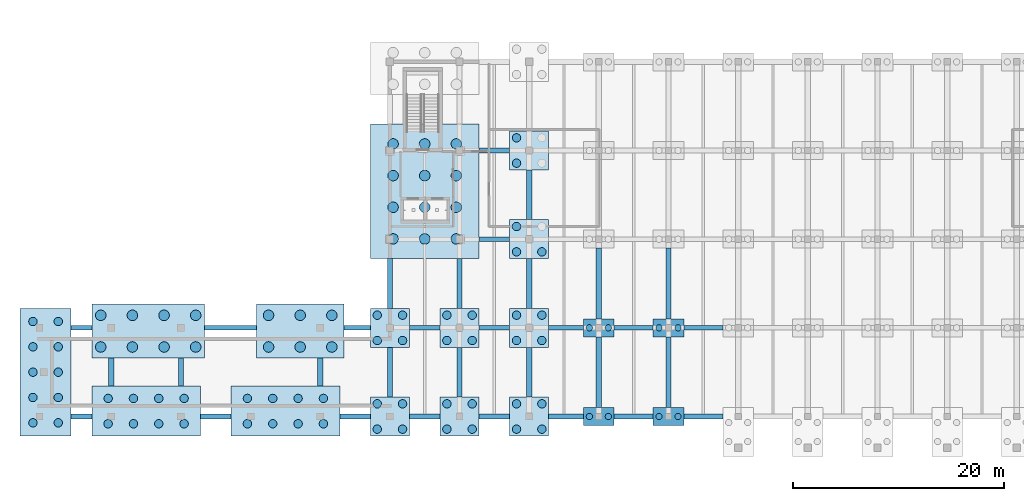
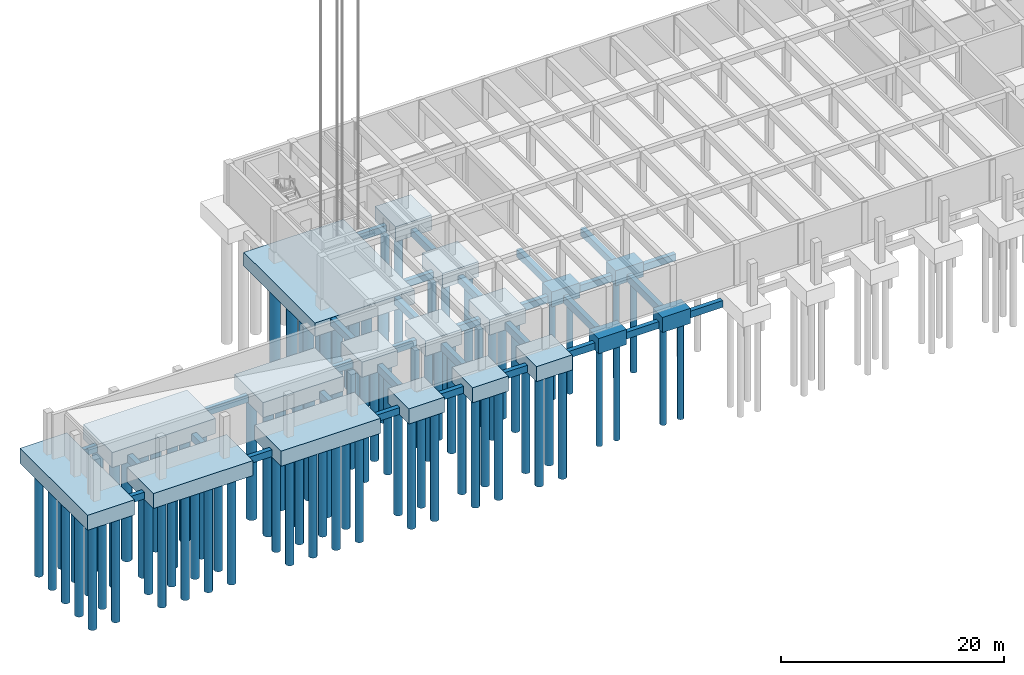
# One storey, part 1 of 44: 89 piles, 50 footings.
"""IFC4 building model written with IfcOpenShell, lengths in metres."""

from ifc_helpers import new_model, si_unit, direction, frame, origin, origin_2d, place, context, subcontext, project, spatial, rectangle, circle, extrude, material, material_profile, profile_set, type_object, element, save


model = new_model("IFC4")

# Units and contexts
model_context = context("Model", 3, precision=1e-05, world=origin(), true_north=direction((0.0, 1.0)))
body_context = subcontext(model_context, "Body", "Model", "MODEL_VIEW")
ifc_project = project(units=[si_unit("LENGTHUNIT", "METRE"), si_unit("AREAUNIT", "SQUARE_METRE"), si_unit("VOLUMEUNIT", "CUBIC_METRE"), si_unit("PLANEANGLEUNIT", "RADIAN"), si_unit("MASSUNIT", "GRAM", prefix="KILO")], contexts=[model_context])

# Site, building, storey
site_placement = place(None, origin())
site = spatial("IfcSite", under=ifc_project, at=site_placement, CompositionType="ELEMENT")
building_placement = place(site_placement, origin())
building = spatial("IfcBuilding", under=site, at=building_placement, Name="Kolvaren Faculty of Natural Sciences", CompositionType="ELEMENT")
storey_placement = place(building_placement, frame((0.0, 0.0, -4.5)))
storey = spatial("IfcBuildingStorey", under=building, at=storey_placement, Name="B01", CompositionType="ELEMENT", Elevation=-4.5)

# Piles
ifc_material = material(Name="Concrete C35/45", Category="concrete")
ifc_material_profile_1 = material_profile(ifc_material, circle(Radius=0.5, at=origin_2d()), Name="PILE D1000")
ifc_profile_set_1 = profile_set([ifc_material_profile_1], Name="Concrete C35/45")
pile_type_1 = type_object("IfcPileType", Name="BoredPile_1000", PredefinedType="BORED", material=ifc_profile_set_1)
for number, where, z_axis, x_axis, name in (
    (1, (5.800048828125, 15.18505859375, -1.949951171875), (0.0, 0.0, -1.0), (1.0, 0.0, 0.0), "Rock-socketed bored pile BP-1000 under CAP-003"),
    (2, (5.800048828125, 18.18505859375, -1.949951171875), (0.0, 0.0, -1.0), (1.0, 0.0, 0.0), "Rock-socketed bored pile BP-1000 under CAP-003"),
    (3, (8.800048828125, 15.18505859375, -1.949951171875), (0.0, 0.0, -1.0), (1.0, 0.0, 0.0), "Rock-socketed bored pile BP-1000 under CAP-003"),
    (4, (8.800048828125, 18.18505859375, -1.949951171875), (0.0, 0.0, -1.0), (1.0, 0.0, 0.0), "Rock-socketed bored pile BP-1000 under CAP-003"),
    (5, (11.800048828125, 15.18505859375, -1.949951171875), (0.0, 0.0, -1.0), (1.0, 0.0, 0.0), "Rock-socketed bored pile BP-1000 under CAP-003"),
    (6, (11.800048828125, 18.18505859375, -1.949951171875), (0.0, 0.0, -1.0), (1.0, 0.0, 0.0), "Rock-socketed bored pile BP-1000 under CAP-003"),
    (7, (14.800048828125, 15.18505859375, -1.949951171875), (0.0, 0.0, -1.0), (1.0, 0.0, 0.0), "Rock-socketed bored pile BP-1000 under CAP-003"),
    (8, (14.800048828125, 18.18505859375, -1.949951171875), (0.0, 0.0, -1.0), (1.0, 0.0, 0.0), "Rock-socketed bored pile BP-1000 under CAP-003"),
    (9, (21.699951171875, 15.18505859375, -1.949951171875), (0.0, 0.0, -1.0), (1.0, 0.0, 0.0), "Rock-socketed bored pile BP-1000 under CAP-005"),
    (10, (21.699951171875, 18.18505859375, -1.949951171875), (0.0, 0.0, -1.0), (1.0, 0.0, 0.0), "Rock-socketed bored pile BP-1000 under CAP-005"),
    (11, (24.699951171875, 15.18505859375, -1.949951171875), (0.0, 0.0, -1.0), (1.0, 0.0, 0.0), "Rock-socketed bored pile BP-1000 under CAP-005"),
    (12, (24.699951171875, 18.18505859375, -1.949951171875), (0.0, 0.0, -1.0), (1.0, 0.0, 0.0), "Rock-socketed bored pile BP-1000 under CAP-005"),
    (13, (27.699951171875, 15.18505859375, -1.949951171875), (0.0, 0.0, -1.0), (1.0, 0.0, 0.0), "Rock-socketed bored pile BP-1000 under CAP-005"),
    (14, (27.699951171875, 18.18505859375, -1.949951171875), (0.0, 0.0, -1.0), (1.0, 0.0, 0.0), "Rock-socketed bored pile BP-1000 under CAP-005"),
):
    element("IfcPile", number, at=place(storey_placement, frame(where, z_axis=z_axis, x_axis=x_axis)), inside=storey, type_object=pile_type_1, Name=name, PredefinedType="BORED", context=body_context, shape_type="SweptSolid", body=[
        extrude(circle(Radius=0.5, at=origin_2d()), origin(), (0.0, 0.0, 1.0), 13.85009765625),
    ])
for number, where, z_axis, x_axis, name in (
    (15, (33.5, 25.425048828125, -2.60009765625), (0.0, 0.0, -1.0), (1.0, 0.0, 0.0), "Rock-socketed bored pile BP-1000 under CAP-008"),
    (16, (33.5, 28.425048828125, -2.60009765625), (0.0, 0.0, -1.0), (1.0, 0.0, 0.0), "Rock-socketed bored pile BP-1000 under CAP-008"),
    (17, (33.5, 31.425048828125, -2.60009765625), (0.0, 0.0, -1.0), (1.0, 0.0, 0.0), "Rock-socketed bored pile BP-1000 under CAP-008"),
    (18, (33.5, 34.425048828125, -2.60009765625), (0.0, 0.0, -1.0), (1.0, 0.0, 0.0), "Rock-socketed bored pile BP-1000 under CAP-008"),
    (19, (36.5, 25.425048828125, -2.60009765625), (0.0, 0.0, -1.0), (1.0, 0.0, 0.0), "Rock-socketed bored pile BP-1000 under CAP-008"),
    (20, (36.5, 28.425048828125, -2.60009765625), (0.0, 0.0, -1.0), (1.0, 0.0, 0.0), "Rock-socketed bored pile BP-1000 under CAP-008"),
    (21, (36.5, 31.425048828125, -2.60009765625), (0.0, 0.0, -1.0), (1.0, 0.0, 0.0), "Rock-socketed bored pile BP-1000 under CAP-008"),
    (22, (36.5, 34.425048828125, -2.60009765625), (0.0, 0.0, -1.0), (1.0, 0.0, 0.0), "Rock-socketed bored pile BP-1000 under CAP-008"),
    (23, (39.5, 25.425048828125, -2.60009765625), (0.0, 0.0, -1.0), (1.0, 0.0, 0.0), "Rock-socketed bored pile BP-1000 under CAP-008"),
    (24, (39.5, 28.425048828125, -2.60009765625), (0.0, 0.0, -1.0), (1.0, 0.0, 0.0), "Rock-socketed bored pile BP-1000 under CAP-008"),
    (25, (39.5, 31.425048828125, -2.60009765625), (0.0, 0.0, -1.0), (1.0, 0.0, 0.0), "Rock-socketed bored pile BP-1000 under CAP-008"),
    (26, (39.5, 34.425048828125, -2.60009765625), (0.0, 0.0, -1.0), (1.0, 0.0, 0.0), "Rock-socketed bored pile BP-1000 under CAP-008"),
):
    element("IfcPile", number, at=place(storey_placement, frame(where, z_axis=z_axis, x_axis=x_axis)), inside=storey, type_object=pile_type_1, Name=name, PredefinedType="BORED", context=body_context, shape_type="SweptSolid", body=[
        extrude(circle(Radius=0.5, at=origin_2d()), origin(), (0.0, 0.0, 1.0), 13.199951171875),
    ])
ifc_material_profile_2 = material_profile(ifc_material, circle(Radius=0.300048828125, at=origin_2d()), Name="PILE D600")
ifc_profile_set_2 = profile_set([ifc_material_profile_2], Name="Concrete C35/45")
pile_type_2 = type_object("IfcPileType", Name="BoredPile_600", PredefinedType="BORED", material=ifc_profile_set_2)
for number, where, z_axis, x_axis, name in (
    (27, (52.10009765625, 8.60009765625, -1.949951171875), (0.0, 0.0, -1.0), (1.0, 0.0, 0.0), "Rock-socketed bored pile BP-600 under CAP-017"),
    (28, (53.89990234375, 8.60009765625, -1.949951171875), (0.0, 0.0, -1.0), (1.0, 0.0, 0.0), "Rock-socketed bored pile BP-600 under CAP-017"),
    (29, (52.10009765625, 17.0, -1.949951171875), (0.0, 0.0, -1.0), (1.0, 0.0, 0.0), "Rock-socketed bored pile BP-600 under CAP-018"),
    (30, (53.89990234375, 17.0, -1.949951171875), (0.0, 0.0, -1.0), (1.0, 0.0, 0.0), "Rock-socketed bored pile BP-600 under CAP-018"),
    (31, (58.699951171875, 8.60009765625, -1.949951171875), (0.0, 0.0, -1.0), (1.0, 0.0, 0.0), "Rock-socketed bored pile BP-600 under CAP-022"),
    (32, (60.5, 8.60009765625, -1.949951171875), (0.0, 0.0, -1.0), (1.0, 0.0, 0.0), "Rock-socketed bored pile BP-600 under CAP-022"),
    (33, (58.699951171875, 17.0, -1.949951171875), (0.0, 0.0, -1.0), (1.0, 0.0, 0.0), "Rock-socketed bored pile BP-600 under CAP-023"),
    (34, (60.5, 17.0, -1.949951171875), (0.0, 0.0, -1.0), (1.0, 0.0, 0.0), "Rock-socketed bored pile BP-600 under CAP-023"),
):
    element("IfcPile", number, at=place(storey_placement, frame(where, z_axis=z_axis, x_axis=x_axis)), inside=storey, type_object=pile_type_2, Name=name, PredefinedType="BORED", context=body_context, shape_type="SweptSolid", body=[
        extrude(circle(Radius=0.300048828125, at=origin_2d()), origin(), (0.0, 0.0, 1.0), 10.75),
    ])
ifc_material_profile_3 = material_profile(ifc_material, circle(Radius=0.39990234375, at=origin_2d()), Name="PILE D800")
ifc_profile_set_3 = profile_set([ifc_material_profile_3], Name="Concrete C35/45")
pile_type_3 = type_object("IfcPileType", Name="BoredPile_800", PredefinedType="BORED", material=ifc_profile_set_3)
for number, where, z_axis, x_axis, name in (
    (35, (-0.625, 8.0, -1.949951171875), (0.0, 0.0, -1.0), (1.0, 0.0, 0.0), "Rock-socketed bored pile BP-800 under CAP-001"),
    (36, (-0.625, 10.39990234375, -1.949951171875), (0.0, 0.0, -1.0), (1.0, 0.0, 0.0), "Rock-socketed bored pile BP-800 under CAP-001"),
    (37, (-0.625, 12.800048828125, -1.949951171875), (0.0, 0.0, -1.0), (1.0, 0.0, 0.0), "Rock-socketed bored pile BP-800 under CAP-001"),
    (38, (-0.625, 15.199951171875, -1.949951171875), (0.0, 0.0, -1.0), (1.0, 0.0, 0.0), "Rock-socketed bored pile BP-800 under CAP-001"),
    (39, (-0.625, 17.60009765625, -1.949951171875), (0.0, 0.0, -1.0), (1.0, 0.0, 0.0), "Rock-socketed bored pile BP-800 under CAP-001"),
    (40, (1.77490234375, 8.0, -1.949951171875), (0.0, 0.0, -1.0), (1.0, 0.0, 0.0), "Rock-socketed bored pile BP-800 under CAP-001"),
    (41, (1.77490234375, 10.39990234375, -1.949951171875), (0.0, 0.0, -1.0), (1.0, 0.0, 0.0), "Rock-socketed bored pile BP-800 under CAP-001"),
    (42, (1.77490234375, 12.800048828125, -1.949951171875), (0.0, 0.0, -1.0), (1.0, 0.0, 0.0), "Rock-socketed bored pile BP-800 under CAP-001"),
    (43, (1.77490234375, 15.199951171875, -1.949951171875), (0.0, 0.0, -1.0), (1.0, 0.0, 0.0), "Rock-socketed bored pile BP-800 under CAP-001"),
    (44, (1.77490234375, 17.60009765625, -1.949951171875), (0.0, 0.0, -1.0), (1.0, 0.0, 0.0), "Rock-socketed bored pile BP-800 under CAP-001"),
    (45, (6.5, 7.909912109375, -1.949951171875), (0.0, 0.0, -1.0), (1.0, 0.0, 0.0), "Rock-socketed bored pile BP-800 under CAP-002"),
    (46, (6.5, 10.31005859375, -1.949951171875), (0.0, 0.0, -1.0), (1.0, 0.0, 0.0), "Rock-socketed bored pile BP-800 under CAP-002"),
    (47, (8.89990234375, 7.909912109375, -1.949951171875), (0.0, 0.0, -1.0), (1.0, 0.0, 0.0), "Rock-socketed bored pile BP-800 under CAP-002"),
    (48, (8.89990234375, 10.31005859375, -1.949951171875), (0.0, 0.0, -1.0), (1.0, 0.0, 0.0), "Rock-socketed bored pile BP-800 under CAP-002"),
    (49, (11.300048828125, 7.909912109375, -1.949951171875), (0.0, 0.0, -1.0), (1.0, 0.0, 0.0), "Rock-socketed bored pile BP-800 under CAP-002"),
    (50, (11.300048828125, 10.31005859375, -1.949951171875), (0.0, 0.0, -1.0), (1.0, 0.0, 0.0), "Rock-socketed bored pile BP-800 under CAP-002"),
    (51, (13.699951171875, 7.909912109375, -1.949951171875), (0.0, 0.0, -1.0), (1.0, 0.0, 0.0), "Rock-socketed bored pile BP-800 under CAP-002"),
    (52, (13.699951171875, 10.31005859375, -1.949951171875), (0.0, 0.0, -1.0), (1.0, 0.0, 0.0), "Rock-socketed bored pile BP-800 under CAP-002"),
    (53, (19.699951171875, 7.909912109375, -1.949951171875), (0.0, 0.0, -1.0), (1.0, 0.0, 0.0), "Rock-socketed bored pile BP-800 under CAP-004"),
    (54, (19.699951171875, 10.31005859375, -1.949951171875), (0.0, 0.0, -1.0), (1.0, 0.0, 0.0), "Rock-socketed bored pile BP-800 under CAP-004"),
    (55, (22.10009765625, 7.909912109375, -1.949951171875), (0.0, 0.0, -1.0), (1.0, 0.0, 0.0), "Rock-socketed bored pile BP-800 under CAP-004"),
    (56, (22.10009765625, 10.31005859375, -1.949951171875), (0.0, 0.0, -1.0), (1.0, 0.0, 0.0), "Rock-socketed bored pile BP-800 under CAP-004"),
    (57, (24.5, 7.909912109375, -1.949951171875), (0.0, 0.0, -1.0), (1.0, 0.0, 0.0), "Rock-socketed bored pile BP-800 under CAP-004"),
    (58, (24.5, 10.31005859375, -1.949951171875), (0.0, 0.0, -1.0), (1.0, 0.0, 0.0), "Rock-socketed bored pile BP-800 under CAP-004"),
    (59, (26.89990234375, 7.909912109375, -1.949951171875), (0.0, 0.0, -1.0), (1.0, 0.0, 0.0), "Rock-socketed bored pile BP-800 under CAP-004"),
    (60, (26.89990234375, 10.31005859375, -1.949951171875), (0.0, 0.0, -1.0), (1.0, 0.0, 0.0), "Rock-socketed bored pile BP-800 under CAP-004"),
    (61, (32.0, 7.39990234375, -1.949951171875), (0.0, 0.0, -1.0), (1.0, 0.0, 0.0), "Rock-socketed bored pile BP-800 under CAP-006"),
    (62, (32.0, 9.800048828125, -1.949951171875), (0.0, 0.0, -1.0), (1.0, 0.0, 0.0), "Rock-socketed bored pile BP-800 under CAP-006"),
    (63, (34.39990234375, 7.39990234375, -1.949951171875), (0.0, 0.0, -1.0), (1.0, 0.0, 0.0), "Rock-socketed bored pile BP-800 under CAP-006"),
    (64, (34.39990234375, 9.800048828125, -1.949951171875), (0.0, 0.0, -1.0), (1.0, 0.0, 0.0), "Rock-socketed bored pile BP-800 under CAP-006"),
    (65, (32.0, 15.800048828125, -1.949951171875), (0.0, 0.0, -1.0), (1.0, 0.0, 0.0), "Rock-socketed bored pile BP-800 under CAP-007"),
    (66, (32.0, 18.199951171875, -1.949951171875), (0.0, 0.0, -1.0), (1.0, 0.0, 0.0), "Rock-socketed bored pile BP-800 under CAP-007"),
    (67, (34.39990234375, 15.800048828125, -1.949951171875), (0.0, 0.0, -1.0), (1.0, 0.0, 0.0), "Rock-socketed bored pile BP-800 under CAP-007"),
    (68, (34.39990234375, 18.199951171875, -1.949951171875), (0.0, 0.0, -1.0), (1.0, 0.0, 0.0), "Rock-socketed bored pile BP-800 under CAP-007"),
    (69, (38.60009765625, 7.39990234375, -1.949951171875), (0.0, 0.0, -1.0), (1.0, 0.0, 0.0), "Rock-socketed bored pile BP-800 under CAP-010"),
    (70, (38.60009765625, 9.800048828125, -1.949951171875), (0.0, 0.0, -1.0), (1.0, 0.0, 0.0), "Rock-socketed bored pile BP-800 under CAP-010"),
    (71, (41.0, 7.39990234375, -1.949951171875), (0.0, 0.0, -1.0), (1.0, 0.0, 0.0), "Rock-socketed bored pile BP-800 under CAP-010"),
    (72, (41.0, 9.800048828125, -1.949951171875), (0.0, 0.0, -1.0), (1.0, 0.0, 0.0), "Rock-socketed bored pile BP-800 under CAP-010"),
    (73, (38.60009765625, 15.800048828125, -1.949951171875), (0.0, 0.0, -1.0), (1.0, 0.0, 0.0), "Rock-socketed bored pile BP-800 under CAP-011"),
    (74, (38.60009765625, 18.199951171875, -1.949951171875), (0.0, 0.0, -1.0), (1.0, 0.0, 0.0), "Rock-socketed bored pile BP-800 under CAP-011"),
    (75, (41.0, 15.800048828125, -1.949951171875), (0.0, 0.0, -1.0), (1.0, 0.0, 0.0), "Rock-socketed bored pile BP-800 under CAP-011"),
    (76, (41.0, 18.199951171875, -1.949951171875), (0.0, 0.0, -1.0), (1.0, 0.0, 0.0), "Rock-socketed bored pile BP-800 under CAP-011"),
    (77, (45.199951171875, 7.39990234375, -1.949951171875), (0.0, 0.0, -1.0), (1.0, 0.0, 0.0), "Rock-socketed bored pile BP-800 under CAP-012"),
    (78, (45.199951171875, 9.800048828125, -1.949951171875), (0.0, 0.0, -1.0), (1.0, 0.0, 0.0), "Rock-socketed bored pile BP-800 under CAP-012"),
    (79, (47.60009765625, 7.39990234375, -1.949951171875), (0.0, 0.0, -1.0), (1.0, 0.0, 0.0), "Rock-socketed bored pile BP-800 under CAP-012"),
    (80, (47.60009765625, 9.800048828125, -1.949951171875), (0.0, 0.0, -1.0), (1.0, 0.0, 0.0), "Rock-socketed bored pile BP-800 under CAP-012"),
    (81, (45.199951171875, 15.800048828125, -1.949951171875), (0.0, 0.0, -1.0), (1.0, 0.0, 0.0), "Rock-socketed bored pile BP-800 under CAP-013"),
    (82, (45.199951171875, 18.199951171875, -1.949951171875), (0.0, 0.0, -1.0), (1.0, 0.0, 0.0), "Rock-socketed bored pile BP-800 under CAP-013"),
    (83, (47.60009765625, 15.800048828125, -1.949951171875), (0.0, 0.0, -1.0), (1.0, 0.0, 0.0), "Rock-socketed bored pile BP-800 under CAP-013"),
    (84, (47.60009765625, 18.199951171875, -1.949951171875), (0.0, 0.0, -1.0), (1.0, 0.0, 0.0), "Rock-socketed bored pile BP-800 under CAP-013"),
    (85, (45.199951171875, 24.199951171875, -1.949951171875), (0.0, 0.0, -1.0), (1.0, 0.0, 0.0), "Rock-socketed bored pile BP-800 under CAP-014"),
    (86, (45.199951171875, 26.60009765625, -1.949951171875), (0.0, 0.0, -1.0), (1.0, 0.0, 0.0), "Rock-socketed bored pile BP-800 under CAP-014"),
    (87, (47.60009765625, 24.199951171875, -1.949951171875), (0.0, 0.0, -1.0), (1.0, 0.0, 0.0), "Rock-socketed bored pile BP-800 under CAP-014"),
    (88, (45.199951171875, 32.60009765625, -1.949951171875), (0.0, 0.0, -1.0), (1.0, 0.0, 0.0), "Rock-socketed bored pile BP-800 under CAP-015"),
    (89, (45.199951171875, 35.0, -1.949951171875), (0.0, 0.0, -1.0), (1.0, 0.0, 0.0), "Rock-socketed bored pile BP-800 under CAP-015"),
):
    element("IfcPile", number, at=place(storey_placement, frame(where, z_axis=z_axis, x_axis=x_axis)), inside=storey, type_object=pile_type_3, Name=name, PredefinedType="BORED", context=body_context, shape_type="SweptSolid", body=[
        extrude(circle(Radius=0.39990234375, at=origin_2d()), origin(), (0.0, 0.0, 1.0), 11.949951171875),
    ])

# Footings
ifc_material_profile_4 = material_profile(ifc_material, rectangle(XDim=0.449951171875, YDim=0.75, at=origin_2d()), Name="RC FB 450x750")
ifc_profile_set_4 = profile_set([ifc_material_profile_4], Name="Concrete C35/45")
footing_type_1 = type_object("IfcFootingType", Name="FootingTieBeam_450x750", PredefinedType="FOOTING_BEAM", material=ifc_profile_set_4)
footing_1_placement = place(storey_placement, frame((3.0, 8.60009765625, -1.60009765625), z_axis=(1.0, 0.0, 0.0), x_axis=(0.0, 1.0, 0.0)))
element("IfcFooting", 90, at=footing_1_placement, inside=storey, type_object=footing_type_1, Name="B01 orthogonal foundation tie beam FB-02", PredefinedType="FOOTING_BEAM", context=body_context, shape_type="SweptSolid", body=[
    extrude(rectangle(XDim=0.449951171875, YDim=0.75, at=origin_2d()), origin(), (0.0, 0.0, 1.0), 1.949951171875),
])
footing_2_placement = place(storey_placement, frame((15.25, 8.60009765625, -1.60009765625), z_axis=(1.0, 0.0, 0.0), x_axis=(0.0, 1.0, 0.0)))
element("IfcFooting", 91, at=footing_2_placement, inside=storey, type_object=footing_type_1, Name="B01 orthogonal foundation tie beam FB-02", PredefinedType="FOOTING_BEAM", context=body_context, shape_type="SweptSolid", body=[
    extrude(rectangle(XDim=0.449951171875, YDim=0.75, at=origin_2d()), origin(), (0.0, 0.0, 1.0), 2.89990234375),
])
footing_3_placement = place(storey_placement, frame((28.449951171875, 8.60009765625, -1.60009765625), z_axis=(1.0, 0.0, 0.0), x_axis=(0.0, 1.0, 0.0)))
element("IfcFooting", 92, at=footing_3_placement, inside=storey, type_object=footing_type_1, Name="B01 orthogonal foundation tie beam FB-02", PredefinedType="FOOTING_BEAM", context=body_context, shape_type="SweptSolid", body=[
    extrude(rectangle(XDim=0.449951171875, YDim=0.75, at=origin_2d()), origin(), (0.0, 0.0, 1.0), 2.900146484375),
])
footing_4_placement = place(storey_placement, frame((35.050048828125, 8.60009765625, -1.60009765625), z_axis=(1.0, 0.0, 0.0), x_axis=(0.0, 1.0, 0.0)))
element("IfcFooting", 93, at=footing_4_placement, inside=storey, type_object=footing_type_1, Name="B01 orthogonal foundation tie beam FB-02", PredefinedType="FOOTING_BEAM", context=body_context, shape_type="SweptSolid", body=[
    extrude(rectangle(XDim=0.449951171875, YDim=0.75, at=origin_2d()), origin(), (0.0, 0.0, 1.0), 2.89990234375),
])
footing_5_placement = place(storey_placement, frame((41.64990234375, 8.60009765625, -1.60009765625), z_axis=(1.0, 0.0, 0.0), x_axis=(0.0, 1.0, 0.0)))
element("IfcFooting", 94, at=footing_5_placement, inside=storey, type_object=footing_type_1, Name="B01 orthogonal foundation tie beam FB-02", PredefinedType="FOOTING_BEAM", context=body_context, shape_type="SweptSolid", body=[
    extrude(rectangle(XDim=0.449951171875, YDim=0.75, at=origin_2d()), origin(), (0.0, 0.0, 1.0), 2.900146484375),
])
footing_6_placement = place(storey_placement, frame((48.25, 8.60009765625, -1.60009765625), z_axis=(1.0, 0.0, 0.0), x_axis=(0.0, 1.0, 0.0)))
element("IfcFooting", 95, at=footing_6_placement, inside=storey, type_object=footing_type_1, Name="B01 orthogonal foundation tie beam FB-02", PredefinedType="FOOTING_BEAM", context=body_context, shape_type="SweptSolid", body=[
    extrude(rectangle(XDim=0.449951171875, YDim=0.75, at=origin_2d()), origin(), (0.0, 0.0, 1.0), 3.300048828125),
])
for number, where, z_axis, x_axis, name in (
    (96, (54.449951171875, 8.60009765625, -1.60009765625), (1.0, 0.0, 0.0), (0.0, 1.0, 0.0), "B01 orthogonal foundation tie beam FB-02"),
    (97, (61.050048828125, 8.60009765625, -1.60009765625), (1.0, 0.0, 0.0), (0.0, 1.0, 0.0), "B01 orthogonal foundation tie beam FB-02"),
):
    element("IfcFooting", number, at=place(storey_placement, frame(where, z_axis=z_axis, x_axis=x_axis)), inside=storey, type_object=footing_type_1, Name=name, PredefinedType="FOOTING_BEAM", context=body_context, shape_type="SweptSolid", body=[
        extrude(rectangle(XDim=0.449951171875, YDim=0.75, at=origin_2d()), origin(), (0.0, 0.0, 1.0), 3.699951171875),
    ])
footing_7_placement = place(storey_placement, frame((3.0, 17.0, -1.60009765625), z_axis=(1.0, 0.0, 0.0), x_axis=(0.0, 1.0, 0.0)))
element("IfcFooting", 98, at=footing_7_placement, inside=storey, type_object=footing_type_1, Name="B01 orthogonal foundation tie beam FB-02", PredefinedType="FOOTING_BEAM", context=body_context, shape_type="SweptSolid", body=[
    extrude(rectangle(XDim=0.449951171875, YDim=0.75, at=origin_2d()), origin(), (0.0, 0.0, 1.0), 1.949951171875),
])
footing_8_placement = place(storey_placement, frame((15.64990234375, 17.0, -1.60009765625), z_axis=(1.0, 0.0, 0.0), x_axis=(0.0, 1.0, 0.0)))
element("IfcFooting", 99, at=footing_8_placement, inside=storey, type_object=footing_type_1, Name="B01 orthogonal foundation tie beam FB-02", PredefinedType="FOOTING_BEAM", context=body_context, shape_type="SweptSolid", body=[
    extrude(rectangle(XDim=0.449951171875, YDim=0.75, at=origin_2d()), origin(), (0.0, 0.0, 1.0), 4.900146484375),
])
footing_9_placement = place(storey_placement, frame((28.85009765625, 17.0, -1.60009765625), z_axis=(1.0, 0.0, 0.0), x_axis=(0.0, 1.0, 0.0)))
element("IfcFooting", 100, at=footing_9_placement, inside=storey, type_object=footing_type_1, Name="B01 orthogonal foundation tie beam FB-02", PredefinedType="FOOTING_BEAM", context=body_context, shape_type="SweptSolid", body=[
    extrude(rectangle(XDim=0.449951171875, YDim=0.75, at=origin_2d()), origin(), (0.0, 0.0, 1.0), 2.5),
])
footing_10_placement = place(storey_placement, frame((35.050048828125, 17.0, -1.60009765625), z_axis=(1.0, 0.0, 0.0), x_axis=(0.0, 1.0, 0.0)))
element("IfcFooting", 101, at=footing_10_placement, inside=storey, type_object=footing_type_1, Name="B01 orthogonal foundation tie beam FB-02", PredefinedType="FOOTING_BEAM", context=body_context, shape_type="SweptSolid", body=[
    extrude(rectangle(XDim=0.449951171875, YDim=0.75, at=origin_2d()), origin(), (0.0, 0.0, 1.0), 2.89990234375),
])
footing_11_placement = place(storey_placement, frame((41.64990234375, 17.0, -1.60009765625), z_axis=(1.0, 0.0, 0.0), x_axis=(0.0, 1.0, 0.0)))
element("IfcFooting", 102, at=footing_11_placement, inside=storey, type_object=footing_type_1, Name="B01 orthogonal foundation tie beam FB-02", PredefinedType="FOOTING_BEAM", context=body_context, shape_type="SweptSolid", body=[
    extrude(rectangle(XDim=0.449951171875, YDim=0.75, at=origin_2d()), origin(), (0.0, 0.0, 1.0), 2.900146484375),
])
footing_12_placement = place(storey_placement, frame((48.25, 17.0, -1.60009765625), z_axis=(1.0, 0.0, 0.0), x_axis=(0.0, 1.0, 0.0)))
element("IfcFooting", 103, at=footing_12_placement, inside=storey, type_object=footing_type_1, Name="B01 orthogonal foundation tie beam FB-02", PredefinedType="FOOTING_BEAM", context=body_context, shape_type="SweptSolid", body=[
    extrude(rectangle(XDim=0.449951171875, YDim=0.75, at=origin_2d()), origin(), (0.0, 0.0, 1.0), 3.300048828125),
])
for number, where, z_axis, x_axis, name in (
    (104, (54.449951171875, 17.0, -1.60009765625), (1.0, 0.0, 0.0), (0.0, 1.0, 0.0), "B01 orthogonal foundation tie beam FB-02"),
    (105, (61.050048828125, 17.0, -1.60009765625), (1.0, 0.0, 0.0), (0.0, 1.0, 0.0), "B01 orthogonal foundation tie beam FB-02"),
):
    element("IfcFooting", number, at=place(storey_placement, frame(where, z_axis=z_axis, x_axis=x_axis)), inside=storey, type_object=footing_type_1, Name=name, PredefinedType="FOOTING_BEAM", context=body_context, shape_type="SweptSolid", body=[
        extrude(rectangle(XDim=0.449951171875, YDim=0.75, at=origin_2d()), origin(), (0.0, 0.0, 1.0), 3.699951171875),
    ])
for number, where, z_axis, x_axis, name in (
    (106, (41.64990234375, 25.39990234375, -1.60009765625), (1.0, 0.0, 0.0), (0.0, 1.0, 0.0), "B01 orthogonal foundation tie beam FB-02"),
    (107, (41.64990234375, 33.800048828125, -1.60009765625), (1.0, 0.0, 0.0), (0.0, 1.0, 0.0), "B01 orthogonal foundation tie beam FB-02"),
):
    element("IfcFooting", number, at=place(storey_placement, frame(where, z_axis=z_axis, x_axis=x_axis)), inside=storey, type_object=footing_type_1, Name=name, PredefinedType="FOOTING_BEAM", context=body_context, shape_type="SweptSolid", body=[
        extrude(rectangle(XDim=0.449951171875, YDim=0.75, at=origin_2d()), origin(), (0.0, 0.0, 1.0), 2.900146484375),
    ])
ifc_material_profile_5 = material_profile(ifc_material, rectangle(XDim=0.5, YDim=0.800048828125, at=origin_2d()), Name="RC FB 500x800")
ifc_profile_set_5 = profile_set([ifc_material_profile_5], Name="Concrete C35/45")
footing_type_2 = type_object("IfcFootingType", Name="FootingTieBeam_500x800", PredefinedType="FOOTING_BEAM", material=ifc_profile_set_5)
for number, where, z_axis, x_axis, name in (
    (108, (6.800048828125, 11.469970703125, -1.6201171875), (0.0, 1.0, 0.0), (-1.0, 0.0, 0.0), "B01 orthogonal foundation tie beam FB-03"),
    (109, (13.39990234375, 11.469970703125, -1.6201171875), (0.0, 1.0, 0.0), (-1.0, 0.0, 0.0), "B01 orthogonal foundation tie beam FB-03"),
    (110, (26.60009765625, 11.469970703125, -1.6201171875), (0.0, 1.0, 0.0), (-1.0, 0.0, 0.0), "B01 orthogonal foundation tie beam FB-03"),
):
    element("IfcFooting", number, at=place(storey_placement, frame(where, z_axis=z_axis, x_axis=x_axis)), inside=storey, type_object=footing_type_2, Name=name, PredefinedType="FOOTING_BEAM", context=body_context, shape_type="SweptSolid", body=[
        extrude(rectangle(XDim=0.5, YDim=0.800048828125, at=origin_2d()), origin(), (0.0, 0.0, 1.0), 2.650146484375),
    ])
for number, where, z_axis, x_axis, name in (
    (111, (33.199951171875, 10.449951171875, -1.6201171875), (0.0, 1.0, 0.0), (-1.0, 0.0, 0.0), "B01 orthogonal foundation tie beam FB-03"),
    (112, (33.199951171875, 18.85009765625, -1.6201171875), (0.0, 1.0, 0.0), (-1.0, 0.0, 0.0), "B01 orthogonal foundation tie beam FB-03"),
    (113, (39.800048828125, 10.449951171875, -1.6201171875), (0.0, 1.0, 0.0), (-1.0, 0.0, 0.0), "B01 orthogonal foundation tie beam FB-03"),
    (114, (39.800048828125, 18.85009765625, -1.6201171875), (0.0, 1.0, 0.0), (-1.0, 0.0, 0.0), "B01 orthogonal foundation tie beam FB-03"),
    (115, (46.39990234375, 10.449951171875, -1.6201171875), (0.0, 1.0, 0.0), (-1.0, 0.0, 0.0), "B01 orthogonal foundation tie beam FB-03"),
    (116, (46.39990234375, 18.85009765625, -1.6201171875), (0.0, 1.0, 0.0), (-1.0, 0.0, 0.0), "B01 orthogonal foundation tie beam FB-03"),
    (117, (46.39990234375, 27.25, -1.6201171875), (0.0, 1.0, 0.0), (-1.0, 0.0, 0.0), "B01 orthogonal foundation tie beam FB-03"),
):
    element("IfcFooting", number, at=place(storey_placement, frame(where, z_axis=z_axis, x_axis=x_axis)), inside=storey, type_object=footing_type_2, Name=name, PredefinedType="FOOTING_BEAM", context=body_context, shape_type="SweptSolid", body=[
        extrude(rectangle(XDim=0.5, YDim=0.800048828125, at=origin_2d()), origin(), (0.0, 0.0, 1.0), 4.699951171875),
    ])
for number, where, z_axis, x_axis, name in (
    (118, (53.0, 9.449951171875, -1.6201171875), (0.0, 1.0, 0.0), (-1.0, 0.0, 0.0), "B01 orthogonal foundation tie beam FB-03"),
    (119, (53.0, 17.85009765625, -1.6201171875), (0.0, 1.0, 0.0), (-1.0, 0.0, 0.0), "B01 orthogonal foundation tie beam FB-03"),
    (120, (59.60009765625, 9.449951171875, -1.6201171875), (0.0, 1.0, 0.0), (-1.0, 0.0, 0.0), "B01 orthogonal foundation tie beam FB-03"),
    (121, (59.60009765625, 17.85009765625, -1.6201171875), (0.0, 1.0, 0.0), (-1.0, 0.0, 0.0), "B01 orthogonal foundation tie beam FB-03"),
):
    element("IfcFooting", number, at=place(storey_placement, frame(where, z_axis=z_axis, x_axis=x_axis)), inside=storey, type_object=footing_type_2, Name=name, PredefinedType="FOOTING_BEAM", context=body_context, shape_type="SweptSolid", body=[
        extrude(rectangle(XDim=0.5, YDim=0.800048828125, at=origin_2d()), origin(), (0.0, 0.0, 1.0), 6.699951171875),
    ])
footing_type_3 = type_object("IfcFootingType", Name="PileCap_10300x12750x1500", PredefinedType="PILE_CAP", material=ifc_material)
footing_13_placement = place(storey_placement, frame((36.5, 29.925048828125, -2.699951171875), z_axis=(0.0, 0.0, 1.0), x_axis=(1.0, 0.0, 0.0)))
element("IfcFooting", 122, at=footing_13_placement, inside=storey, type_object=footing_type_3, Name="B01 reinforced concrete pile cap PC-06 (CAP-008)", PredefinedType="PILE_CAP", context=body_context, shape_type="SweptSolid", body=[
    extrude(rectangle(XDim=10.300048828125, YDim=12.75, at=origin_2d()), origin(), (0.0, 0.0, 1.0), 1.5),
])
footing_type_4 = type_object("IfcFootingType", Name="PileCap_10300x4720x1650", PredefinedType="PILE_CAP", material=ifc_material)
for number, where, z_axis, x_axis, name in (
    (123, (10.10009765625, 9.110107421875, -2.050048828125), (0.0, 0.0, 1.0), (1.0, 0.0, 0.0), "B01 reinforced concrete pile cap PC-02 (CAP-002)"),
    (124, (23.300048828125, 9.110107421875, -2.050048828125), (0.0, 0.0, 1.0), (1.0, 0.0, 0.0), "B01 reinforced concrete pile cap PC-02 (CAP-004)"),
):
    element("IfcFooting", number, at=place(storey_placement, frame(where, z_axis=z_axis, x_axis=x_axis)), inside=storey, type_object=footing_type_4, Name=name, PredefinedType="PILE_CAP", context=body_context, shape_type="SweptSolid", body=[
        extrude(rectangle(XDim=10.300048828125, YDim=4.719970703125, at=origin_2d()), origin(), (0.0, 0.0, 1.0), 1.64990234375),
    ])
footing_type_5 = type_object("IfcFootingType", Name="PileCap_10700x5130x1650", PredefinedType="PILE_CAP", material=ifc_material)
footing_14_placement = place(storey_placement, frame((10.300048828125, 16.68505859375, -2.050048828125), z_axis=(0.0, 0.0, 1.0), x_axis=(1.0, 0.0, 0.0)))
element("IfcFooting", 125, at=footing_14_placement, inside=storey, type_object=footing_type_5, Name="B01 reinforced concrete pile cap PC-03 (CAP-003)", PredefinedType="PILE_CAP", context=body_context, shape_type="SweptSolid", body=[
    extrude(rectangle(XDim=10.699951171875, YDim=5.1298828125, at=origin_2d()), origin(), (0.0, 0.0, 1.0), 1.64990234375),
])
footing_type_6 = type_object("IfcFootingType", Name="PileCap_2900x1700x1650", PredefinedType="PILE_CAP", material=ifc_material)
for number, where, z_axis, x_axis, name in (
    (126, (53.0, 8.60009765625, -2.050048828125), (0.0, 0.0, 1.0), (1.0, 0.0, 0.0), "B01 reinforced concrete pile cap PC-08 (CAP-017)"),
    (127, (53.0, 17.0, -2.050048828125), (0.0, 0.0, 1.0), (1.0, 0.0, 0.0), "B01 reinforced concrete pile cap PC-08 (CAP-018)"),
    (128, (59.60009765625, 8.60009765625, -2.050048828125), (0.0, 0.0, 1.0), (1.0, 0.0, 0.0), "B01 reinforced concrete pile cap PC-08 (CAP-022)"),
    (129, (59.60009765625, 17.0, -2.050048828125), (0.0, 0.0, 1.0), (1.0, 0.0, 0.0), "B01 reinforced concrete pile cap PC-08 (CAP-023)"),
):
    element("IfcFooting", number, at=place(storey_placement, frame(where, z_axis=z_axis, x_axis=x_axis)), inside=storey, type_object=footing_type_6, Name=name, PredefinedType="PILE_CAP", context=body_context, shape_type="SweptSolid", body=[
        extrude(rectangle(XDim=2.89990234375, YDim=1.699951171875, at=origin_2d()), origin(), (0.0, 0.0, 1.0), 1.64990234375),
    ])
footing_type_7 = type_object("IfcFootingType", Name="PileCap_3700x3700x1650", PredefinedType="PILE_CAP", material=ifc_material)
for number, where, z_axis, x_axis, name in (
    (130, (33.199951171875, 8.60009765625, -2.050048828125), (0.0, 0.0, 1.0), (1.0, 0.0, 0.0), "B01 reinforced concrete pile cap PC-05 (CAP-006)"),
    (131, (33.199951171875, 17.0, -2.050048828125), (0.0, 0.0, 1.0), (1.0, 0.0, 0.0), "B01 reinforced concrete pile cap PC-05 (CAP-007)"),
    (132, (39.800048828125, 8.60009765625, -2.050048828125), (0.0, 0.0, 1.0), (1.0, 0.0, 0.0), "B01 reinforced concrete pile cap PC-05 (CAP-010)"),
    (133, (39.800048828125, 17.0, -2.050048828125), (0.0, 0.0, 1.0), (1.0, 0.0, 0.0), "B01 reinforced concrete pile cap PC-05 (CAP-011)"),
    (134, (46.39990234375, 8.60009765625, -2.050048828125), (0.0, 0.0, 1.0), (1.0, 0.0, 0.0), "B01 reinforced concrete pile cap PC-05 (CAP-012)"),
    (135, (46.39990234375, 17.0, -2.050048828125), (0.0, 0.0, 1.0), (1.0, 0.0, 0.0), "B01 reinforced concrete pile cap PC-05 (CAP-013)"),
    (136, (46.39990234375, 25.39990234375, -2.050048828125), (0.0, 0.0, 1.0), (1.0, 0.0, 0.0), "B01 reinforced concrete pile cap PC-05 (CAP-014)"),
    (137, (46.39990234375, 33.800048828125, -2.050048828125), (0.0, 0.0, 1.0), (1.0, 0.0, 0.0), "B01 reinforced concrete pile cap PC-05 (CAP-015)"),
):
    element("IfcFooting", number, at=place(storey_placement, frame(where, z_axis=z_axis, x_axis=x_axis)), inside=storey, type_object=footing_type_7, Name=name, PredefinedType="PILE_CAP", context=body_context, shape_type="SweptSolid", body=[
        extrude(rectangle(XDim=3.699951171875, YDim=3.699951171875, at=origin_2d()), origin(), (0.0, 0.0, 1.0), 1.64990234375),
    ])
footing_type_8 = type_object("IfcFootingType", Name="PileCap_4850x12100x1650", PredefinedType="PILE_CAP", material=ifc_material)
footing_15_placement = place(storey_placement, frame((0.574951171875, 12.800048828125, -2.050048828125), z_axis=(0.0, 0.0, 1.0), x_axis=(1.0, 0.0, 0.0)))
element("IfcFooting", 138, at=footing_15_placement, inside=storey, type_object=footing_type_8, Name="B01 reinforced concrete pile cap PC-01 (CAP-001)", PredefinedType="PILE_CAP", context=body_context, shape_type="SweptSolid", body=[
    extrude(rectangle(XDim=4.85009765625, YDim=12.10009765625, at=origin_2d()), origin(), (0.0, 0.0, 1.0), 1.64990234375),
])
footing_type_9 = type_object("IfcFootingType", Name="PileCap_8300x5130x1650", PredefinedType="PILE_CAP", material=ifc_material)
footing_16_placement = place(storey_placement, frame((24.699951171875, 16.68505859375, -2.050048828125), z_axis=(0.0, 0.0, 1.0), x_axis=(1.0, 0.0, 0.0)))
element("IfcFooting", 139, at=footing_16_placement, inside=storey, type_object=footing_type_9, Name="B01 reinforced concrete pile cap PC-04 (CAP-005)", PredefinedType="PILE_CAP", context=body_context, shape_type="SweptSolid", body=[
    extrude(rectangle(XDim=8.300048828125, YDim=5.1298828125, at=origin_2d()), origin(), (0.0, 0.0, 1.0), 1.64990234375),
])

save(model, "model.ifc")
